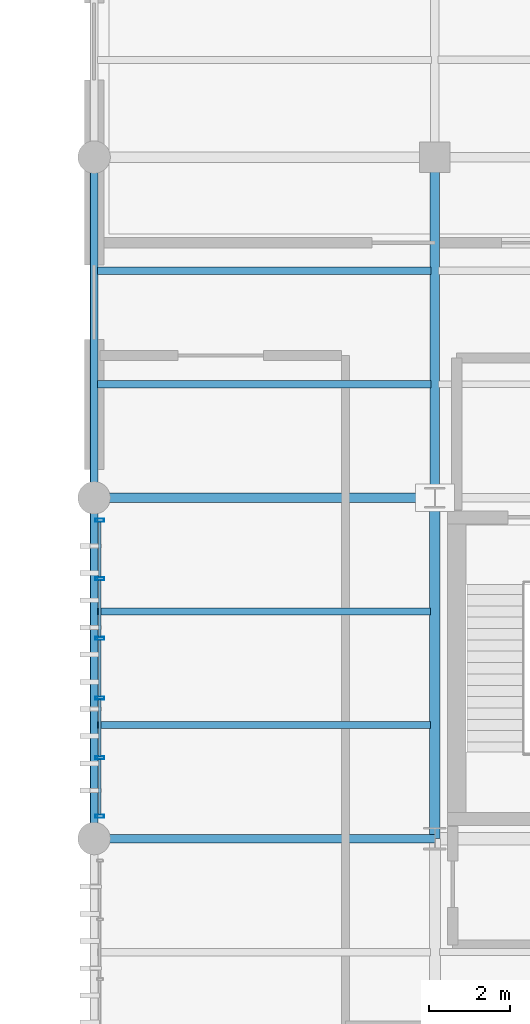
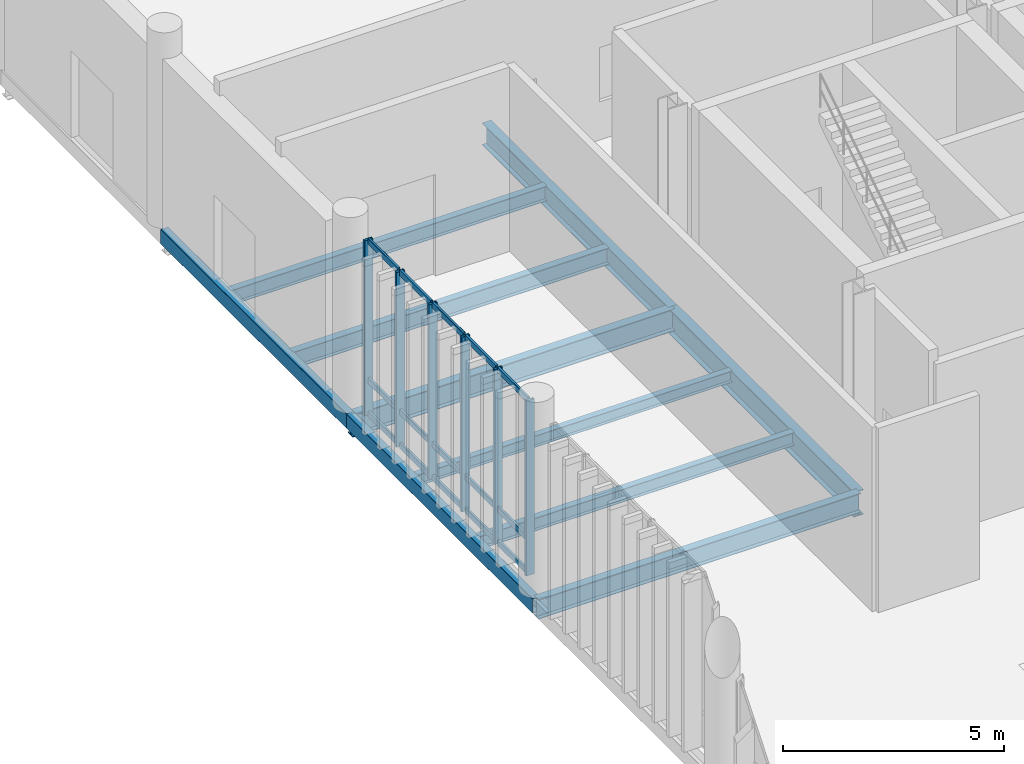
# One storey, part 65 of 112: 21 members, 10 beams, 1 element without a shape of its own.
"""IFC4 building model written with IfcOpenShell, lengths in metres."""

from ifc_helpers import new_model, si_unit, direction, frame, origin_with_axes, origin_2d_with_axis, place, context, subcontext, project, spatial, hollow_rectangle, i_section, extrude, material, material_profile, profile_set, type_object, element, aggregate, save


model = new_model("IFC4")

# Units and contexts
model_context = context("Model", 3, precision=1e-05, world=origin_with_axes(), true_north=direction((0.0, 1.0)))
body_context = subcontext(model_context, "Body", "Model", "MODEL_VIEW")
ifc_project = project(units=[si_unit("LENGTHUNIT", "METRE"), si_unit("AREAUNIT", "SQUARE_METRE"), si_unit("VOLUMEUNIT", "CUBIC_METRE"), si_unit("PLANEANGLEUNIT", "RADIAN"), si_unit("MASSUNIT", "GRAM", prefix="KILO"), si_unit("THERMODYNAMICTEMPERATUREUNIT", "KELVIN")], contexts=[model_context])

# Site, building, storey
site_placement = place(None, origin_with_axes())
site = spatial("IfcSite", under=ifc_project, at=site_placement, CompositionType="ELEMENT")
building_placement = place(site_placement, origin_with_axes())
building = spatial("IfcBuilding", under=site, at=building_placement, Name="Montbau Bow Law Courts", CompositionType="ELEMENT")
storey_placement = place(building_placement, origin_with_axes())
storey = spatial("IfcBuildingStorey", under=building, at=storey_placement, Name="L00", CompositionType="ELEMENT", Elevation=0.0)

# Beams
ifc_material_1 = material(Name="Steel CSA G40.21 Grade 350W (350 MPa)", Category="steel")
ifc_material_profile_1 = material_profile(ifc_material_1, i_section(OverallWidth=0.254, OverallDepth=0.688, WebThickness=0.0131, FlangeThickness=0.0211, at=origin_2d_with_axis()), Name="W690X152", Category="Main", Priority=0)
ifc_profile_set_1 = profile_set([ifc_material_profile_1], Name="Steel CSA G40.21 Grade 350W (350 MPa)")
beam_type_1 = type_object("IfcBeamType", Name="B-FLR-04", PredefinedType="BEAM", material=ifc_profile_set_1)
beam_1_placement = place(None, frame((147.0, 86.4, -0.604), z_axis=(0.0, 1.0, 0.0), x_axis=(-1.0, 0.0, 0.0)))
element("IfcBeam", 1, at=beam_1_placement, inside=storey, type_object=beam_type_1, Name="BM-L00-S0441:bm2_0444", PredefinedType="BEAM", context=body_context, shape_type="SweptSolid", body=[
    extrude(i_section(OverallWidth=0.254, OverallDepth=0.688, WebThickness=0.0131, FlangeThickness=0.0211, at=origin_2d_with_axis()), origin_with_axes(), (0.0, 0.0, 1.0), 8.4),
])
ifc_material_profile_2 = material_profile(ifc_material_1, i_section(OverallWidth=0.229, OverallDepth=0.612, WebThickness=0.0119, FlangeThickness=0.0196, at=origin_2d_with_axis()), Name="W610X125", Category="Main", Priority=0)
ifc_profile_set_2 = profile_set([ifc_material_profile_2], Name="Steel CSA G40.21 Grade 350W (350 MPa)")
beam_type_2 = type_object("IfcBeamType", Name="B-FLR-05", PredefinedType="BEAM", material=ifc_profile_set_2)
for number, where, z_axis, x_axis, name in (
    (2, (138.6, 94.8, -0.566), (1.0, 0.0, 0.0), (0.0, 1.0, 0.0), "BM-L00-S0415:bm2_0418"),
    (3, (147.0, 94.8, -0.566), (0.0, 1.0, 0.0), (-1.0, 0.0, 0.0), "BM-L00-S0442:bm2_0445"),
):
    element("IfcBeam", number, at=place(None, frame(where, z_axis=z_axis, x_axis=x_axis)), inside=storey, type_object=beam_type_2, Name=name, PredefinedType="BEAM", context=body_context, shape_type="SweptSolid", body=[
        extrude(i_section(OverallWidth=0.229, OverallDepth=0.612, WebThickness=0.0119, FlangeThickness=0.0196, at=origin_2d_with_axis()), origin_with_axes(), (0.0, 0.0, 1.0), 8.4),
    ])
ifc_material_profile_3 = material_profile(ifc_material_1, i_section(OverallWidth=0.21, OverallDepth=0.537, WebThickness=0.0109, FlangeThickness=0.0174, at=origin_2d_with_axis()), Name="W530X101", Category="Main", Priority=0)
ifc_profile_set_3 = profile_set([ifc_material_profile_3], Name="Steel CSA G40.21 Grade 350W (350 MPa)")
beam_type_3 = type_object("IfcBeamType", Name="B-FLR-06", PredefinedType="BEAM", material=ifc_profile_set_3)
beam_2_placement = place(None, frame((138.6, 86.4, -0.528), z_axis=(1.0, 0.0, 0.0), x_axis=(0.0, 1.0, 0.0)))
element("IfcBeam", 4, at=beam_2_placement, inside=storey, type_object=beam_type_3, Name="BM-L00-S0411:bm2_0414", PredefinedType="BEAM", context=body_context, shape_type="SweptSolid", body=[
    extrude(i_section(OverallWidth=0.21, OverallDepth=0.537, WebThickness=0.0109, FlangeThickness=0.0174, at=origin_2d_with_axis()), origin_with_axes(), (0.0, 0.0, 1.0), 8.4),
])
ifc_material_profile_4 = material_profile(ifc_material_1, i_section(OverallWidth=0.191, OverallDepth=0.46, WebThickness=0.0099, FlangeThickness=0.016, at=origin_2d_with_axis()), Name="W460X82", Category="Main", Priority=0)
ifc_profile_set_4 = profile_set([ifc_material_profile_4], Name="Steel CSA G40.21 Grade 350W (350 MPa)")
beam_type_4 = type_object("IfcBeamType", Name="B-JST-01", PredefinedType="JOIST", material=ifc_profile_set_4)
beam_3_placement = place(None, frame((138.68, 97.6, -0.49), z_axis=(1.0, 0.0, 0.0), x_axis=(0.0, 1.0, 0.0)))
element("IfcBeam", 5, at=beam_3_placement, inside=storey, type_object=beam_type_4, Name="JST-L00-S0188:jst2_0188", PredefinedType="JOIST", context=body_context, shape_type="SweptSolid", body=[
    extrude(i_section(OverallWidth=0.191, OverallDepth=0.46, WebThickness=0.0099, FlangeThickness=0.016, at=origin_2d_with_axis()), origin_with_axes(), (0.0, 0.0, 1.0), 8.23),
])
ifc_material_profile_5 = material_profile(ifc_material_1, i_section(OverallWidth=0.179, OverallDepth=0.41, WebThickness=0.0088, FlangeThickness=0.0144, at=origin_2d_with_axis()), Name="W410X67", Category="Main", Priority=0)
ifc_profile_set_5 = profile_set([ifc_material_profile_5], Name="Steel CSA G40.21 Grade 350W (350 MPa)")
beam_type_5 = type_object("IfcBeamType", Name="B-JST-02", PredefinedType="JOIST", material=ifc_profile_set_5)
beam_4_placement = place(None, frame((138.68, 100.4, -0.465), z_axis=(1.0, 0.0, 0.0), x_axis=(0.0, 1.0, 0.0)))
element("IfcBeam", 6, at=beam_4_placement, inside=storey, type_object=beam_type_5, Name="JST-L00-S0189:jst2_0189", PredefinedType="JOIST", context=body_context, shape_type="SweptSolid", body=[
    extrude(i_section(OverallWidth=0.179, OverallDepth=0.41, WebThickness=0.0088, FlangeThickness=0.0144, at=origin_2d_with_axis()), origin_with_axes(), (0.0, 0.0, 1.0), 8.23),
])
ifc_material_profile_6 = material_profile(ifc_material_1, i_section(OverallWidth=0.172, OverallDepth=0.358, WebThickness=0.0079, FlangeThickness=0.0131, at=origin_2d_with_axis()), Name="W360X57", Category="Main", Priority=0)
ifc_profile_set_6 = profile_set([ifc_material_profile_6], Name="Steel CSA G40.21 Grade 350W (350 MPa)")
beam_type_6 = type_object("IfcBeamType", Name="B-JST-03", PredefinedType="JOIST", material=ifc_profile_set_6)
beam_5_placement = place(None, frame((138.68, 89.2, -0.439), z_axis=(1.0, 0.0, 0.0), x_axis=(0.0, 1.0, 0.0)))
element("IfcBeam", 7, at=beam_5_placement, inside=storey, type_object=beam_type_6, Name="JST-L00-S0186:jst2_0186", PredefinedType="JOIST", context=body_context, shape_type="SweptSolid", body=[
    extrude(i_section(OverallWidth=0.172, OverallDepth=0.358, WebThickness=0.0079, FlangeThickness=0.0131, at=origin_2d_with_axis()), origin_with_axes(), (0.0, 0.0, 1.0), 8.217),
])
ifc_material_profile_7 = material_profile(ifc_material_1, i_section(OverallWidth=0.166, OverallDepth=0.313, WebThickness=0.0066, FlangeThickness=0.0112, at=origin_2d_with_axis()), Name="W310X45", Category="Main", Priority=0)
ifc_profile_set_7 = profile_set([ifc_material_profile_7], Name="Steel CSA G40.21 Grade 350W (350 MPa)")
beam_type_7 = type_object("IfcBeamType", Name="B-JST-04", PredefinedType="JOIST", material=ifc_profile_set_7)
beam_6_placement = place(None, frame((138.68, 92.0, -0.416), z_axis=(1.0, 0.0, 0.0), x_axis=(0.0, 1.0, 0.0)))
element("IfcBeam", 8, at=beam_6_placement, inside=storey, type_object=beam_type_7, Name="JST-L00-S0187:jst2_0187", PredefinedType="JOIST", context=body_context, shape_type="SweptSolid", body=[
    extrude(i_section(OverallWidth=0.166, OverallDepth=0.313, WebThickness=0.0066, FlangeThickness=0.0112, at=origin_2d_with_axis()), origin_with_axes(), (0.0, 0.0, 1.0), 8.217),
])
ifc_material_2 = material(Name="Steel CSA G40.21 Grade 350WT (350 MPa)", Category="steel")
ifc_material_profile_8 = material_profile(ifc_material_2, hollow_rectangle(XDim=0.203, YDim=0.406, WallThickness=0.0127, InnerFilletRadius=0.0254, OuterFilletRadius=0.0127, at=origin_2d_with_axis()), Name="HSS406X203X13", Category="Main", Priority=0)
ifc_profile_set_8 = profile_set([ifc_material_profile_8], Name="Steel CSA G40.21 Grade 350WT (350 MPa)")
beam_type_8 = type_object("IfcBeamType", Name="B-SPN-01", PredefinedType="SPANDREL", material=ifc_profile_set_8)
for number, where, z_axis, x_axis, name in (
    (9, (138.6, 86.4, -0.463), (0.0, 1.0, 0.0), (-1.0, 0.0, 0.0), "SPN-L00-S0434:bm2_0437"),
    (10, (138.6, 94.8, -0.463), (0.0, 1.0, 0.0), (-1.0, 0.0, 0.0), "SPN-L00-S0435:bm2_0438"),
):
    element("IfcBeam", number, at=place(None, frame(where, z_axis=z_axis, x_axis=x_axis)), inside=storey, type_object=beam_type_8, Name=name, PredefinedType="SPANDREL", context=body_context, shape_type="SweptSolid", body=[
        extrude(hollow_rectangle(XDim=0.203, YDim=0.406, WallThickness=0.0127, InnerFilletRadius=0.0254, OuterFilletRadius=0.0127, at=origin_2d_with_axis()), origin_with_axes(), (0.0, 0.0, 1.0), 8.4),
    ])

# Curtain wall, members
ifc_material_3 = material(Name="Thermally Broken Extruded Aluminium AA 6063-T6", Category="aluminium")
curtain_wall_type = type_object("IfcCurtainWallType", Name="CW-SLT-01", PredefinedType="NOTDEFINED", material=ifc_material_3)
curtain_wall_placement = place(None, frame((138.74, 86.915, 0.0), z_axis=(0.0, 0.0, 1.0), x_axis=(1.0, 0.0, 0.0)))
curtain_wall = element("IfcCurtainWall", 11, at=curtain_wall_placement, inside=storey, type_object=curtain_wall_type, Name="CW-L00-270:cw_0270", PredefinedType="NOTDEFINED")
ifc_material_profile_9 = material_profile(ifc_material_3, hollow_rectangle(XDim=0.075, YDim=0.22, WallThickness=0.005, InnerFilletRadius=0.01, OuterFilletRadius=0.005, at=origin_2d_with_axis()), Name="CWM-220X75", Category="Main", Priority=0)
ifc_profile_set_9 = profile_set([ifc_material_profile_9], Name="Thermally Broken Extruded Aluminium AA 6063-T6")
member_type_1 = type_object("IfcMemberType", Name="M-MUL-01", PredefinedType="MULLION", material=ifc_profile_set_9)
member_1_placement = place(None, frame((138.74, 86.952, 0.0), z_axis=(0.0, 0.0, 1.0), x_axis=(0.0, 1.0, 0.0)))
member_1 = element("IfcMember", 12, at=member_1_placement, type_object=member_type_1, Name="CW-L00-270-M01:cw_0270_M01", PredefinedType="MULLION", context=body_context, shape_type="SweptSolid", body=[
    extrude(hollow_rectangle(XDim=0.075, YDim=0.22, WallThickness=0.005, InnerFilletRadius=0.01, OuterFilletRadius=0.005, at=origin_2d_with_axis()), origin_with_axes(), (0.0, 0.0, 1.0), 4.82),
])
member_2_placement = place(None, frame((138.74, 88.389, 0.0), z_axis=(0.0, 0.0, 1.0), x_axis=(0.0, 1.0, 0.0)))
member_2 = element("IfcMember", 13, at=member_2_placement, type_object=member_type_1, Name="CW-L00-270-M02:cw_0270_M02", PredefinedType="MULLION", context=body_context, shape_type="SweptSolid", body=[
    extrude(hollow_rectangle(XDim=0.075, YDim=0.22, WallThickness=0.005, InnerFilletRadius=0.01, OuterFilletRadius=0.005, at=origin_2d_with_axis()), origin_with_axes(), (0.0, 0.0, 1.0), 4.82),
])
member_3_placement = place(None, frame((138.74, 89.863, 0.0), z_axis=(0.0, 0.0, 1.0), x_axis=(0.0, 1.0, 0.0)))
member_3 = element("IfcMember", 14, at=member_3_placement, type_object=member_type_1, Name="CW-L00-270-M03:cw_0270_M03", PredefinedType="MULLION", context=body_context, shape_type="SweptSolid", body=[
    extrude(hollow_rectangle(XDim=0.075, YDim=0.22, WallThickness=0.005, InnerFilletRadius=0.01, OuterFilletRadius=0.005, at=origin_2d_with_axis()), origin_with_axes(), (0.0, 0.0, 1.0), 4.82),
])
member_4_placement = place(None, frame((138.74, 91.337, 0.0), z_axis=(0.0, 0.0, 1.0), x_axis=(0.0, 1.0, 0.0)))
member_4 = element("IfcMember", 15, at=member_4_placement, type_object=member_type_1, Name="CW-L00-270-M04:cw_0270_M04", PredefinedType="MULLION", context=body_context, shape_type="SweptSolid", body=[
    extrude(hollow_rectangle(XDim=0.075, YDim=0.22, WallThickness=0.005, InnerFilletRadius=0.01, OuterFilletRadius=0.005, at=origin_2d_with_axis()), origin_with_axes(), (0.0, 0.0, 1.0), 4.82),
])
member_5_placement = place(None, frame((138.74, 92.811, 0.0), z_axis=(0.0, 0.0, 1.0), x_axis=(0.0, 1.0, 0.0)))
member_5 = element("IfcMember", 16, at=member_5_placement, type_object=member_type_1, Name="CW-L00-270-M05:cw_0270_M05", PredefinedType="MULLION", context=body_context, shape_type="SweptSolid", body=[
    extrude(hollow_rectangle(XDim=0.075, YDim=0.22, WallThickness=0.005, InnerFilletRadius=0.01, OuterFilletRadius=0.005, at=origin_2d_with_axis()), origin_with_axes(), (0.0, 0.0, 1.0), 4.82),
])
member_6_placement = place(None, frame((138.74, 94.247, 0.0), z_axis=(0.0, 0.0, 1.0), x_axis=(0.0, 1.0, 0.0)))
member_6 = element("IfcMember", 17, at=member_6_placement, type_object=member_type_1, Name="CW-L00-270-M06:cw_0270_M06", PredefinedType="MULLION", context=body_context, shape_type="SweptSolid", body=[
    extrude(hollow_rectangle(XDim=0.075, YDim=0.22, WallThickness=0.005, InnerFilletRadius=0.01, OuterFilletRadius=0.005, at=origin_2d_with_axis()), origin_with_axes(), (0.0, 0.0, 1.0), 4.82),
])
ifc_material_profile_10 = material_profile(ifc_material_3, hollow_rectangle(XDim=0.06, YDim=0.16, WallThickness=0.004, InnerFilletRadius=0.008, OuterFilletRadius=0.004, at=origin_2d_with_axis()), Name="CWT-160X60", Category="Main", Priority=0)
ifc_profile_set_10 = profile_set([ifc_material_profile_10], Name="Thermally Broken Extruded Aluminium AA 6063-T6")
member_type_2 = type_object("IfcMemberType", Name="M-TRN-01", PredefinedType="USERDEFINED", material=ifc_profile_set_10)
member_7_placement = place(None, frame((138.74, 86.991, 0.03), z_axis=(0.0, 1.0, 0.0), x_axis=(-1.0, 0.0, 0.0)))
member_7 = element("IfcMember", 18, at=member_7_placement, type_object=member_type_2, Name="CW-L00-270-T01-1:cw_0270_T01_1", ObjectType="TRANSOM", PredefinedType="USERDEFINED", context=body_context, shape_type="SweptSolid", body=[
    extrude(hollow_rectangle(XDim=0.06, YDim=0.16, WallThickness=0.004, InnerFilletRadius=0.008, OuterFilletRadius=0.004, at=origin_2d_with_axis()), origin_with_axes(), (0.0, 0.0, 1.0), 1.358),
])
member_8_placement = place(None, frame((138.74, 86.991, 0.95), z_axis=(0.0, 1.0, 0.0), x_axis=(-1.0, 0.0, 0.0)))
member_8 = element("IfcMember", 19, at=member_8_placement, type_object=member_type_2, Name="CW-L00-270-T01-2:cw_0270_T01_2", ObjectType="TRANSOM", PredefinedType="USERDEFINED", context=body_context, shape_type="SweptSolid", body=[
    extrude(hollow_rectangle(XDim=0.06, YDim=0.16, WallThickness=0.004, InnerFilletRadius=0.008, OuterFilletRadius=0.004, at=origin_2d_with_axis()), origin_with_axes(), (0.0, 0.0, 1.0), 1.358),
])
member_9_placement = place(None, frame((138.74, 86.991, 4.79), z_axis=(0.0, 1.0, 0.0), x_axis=(-1.0, 0.0, 0.0)))
member_9 = element("IfcMember", 20, at=member_9_placement, type_object=member_type_2, Name="CW-L00-270-T01-3:cw_0270_T01_3", ObjectType="TRANSOM", PredefinedType="USERDEFINED", context=body_context, shape_type="SweptSolid", body=[
    extrude(hollow_rectangle(XDim=0.06, YDim=0.16, WallThickness=0.004, InnerFilletRadius=0.008, OuterFilletRadius=0.004, at=origin_2d_with_axis()), origin_with_axes(), (0.0, 0.0, 1.0), 1.358),
])
member_10_placement = place(None, frame((138.74, 88.429, 0.03), z_axis=(0.0, 1.0, 0.0), x_axis=(-1.0, 0.0, 0.0)))
member_10 = element("IfcMember", 21, at=member_10_placement, type_object=member_type_2, Name="CW-L00-270-T02-1:cw_0270_T02_1", ObjectType="TRANSOM", PredefinedType="USERDEFINED", context=body_context, shape_type="SweptSolid", body=[
    extrude(hollow_rectangle(XDim=0.06, YDim=0.16, WallThickness=0.004, InnerFilletRadius=0.008, OuterFilletRadius=0.004, at=origin_2d_with_axis()), origin_with_axes(), (0.0, 0.0, 1.0), 1.395),
])
member_11_placement = place(None, frame((138.74, 88.429, 0.95), z_axis=(0.0, 1.0, 0.0), x_axis=(-1.0, 0.0, 0.0)))
member_11 = element("IfcMember", 22, at=member_11_placement, type_object=member_type_2, Name="CW-L00-270-T02-2:cw_0270_T02_2", ObjectType="TRANSOM", PredefinedType="USERDEFINED", context=body_context, shape_type="SweptSolid", body=[
    extrude(hollow_rectangle(XDim=0.06, YDim=0.16, WallThickness=0.004, InnerFilletRadius=0.008, OuterFilletRadius=0.004, at=origin_2d_with_axis()), origin_with_axes(), (0.0, 0.0, 1.0), 1.395),
])
member_12_placement = place(None, frame((138.74, 88.429, 4.79), z_axis=(0.0, 1.0, 0.0), x_axis=(-1.0, 0.0, 0.0)))
member_12 = element("IfcMember", 23, at=member_12_placement, type_object=member_type_2, Name="CW-L00-270-T02-3:cw_0270_T02_3", ObjectType="TRANSOM", PredefinedType="USERDEFINED", context=body_context, shape_type="SweptSolid", body=[
    extrude(hollow_rectangle(XDim=0.06, YDim=0.16, WallThickness=0.004, InnerFilletRadius=0.008, OuterFilletRadius=0.004, at=origin_2d_with_axis()), origin_with_axes(), (0.0, 0.0, 1.0), 1.395),
])
member_13_placement = place(None, frame((138.74, 89.902, 0.03), z_axis=(0.0, 1.0, 0.0), x_axis=(-1.0, 0.0, 0.0)))
member_13 = element("IfcMember", 24, at=member_13_placement, type_object=member_type_2, Name="CW-L00-270-T03-1:cw_0270_T03_1", ObjectType="TRANSOM", PredefinedType="USERDEFINED", context=body_context, shape_type="SweptSolid", body=[
    extrude(hollow_rectangle(XDim=0.06, YDim=0.16, WallThickness=0.004, InnerFilletRadius=0.008, OuterFilletRadius=0.004, at=origin_2d_with_axis()), origin_with_axes(), (0.0, 0.0, 1.0), 1.396),
])
member_14_placement = place(None, frame((138.74, 89.902, 0.95), z_axis=(0.0, 1.0, 0.0), x_axis=(-1.0, 0.0, 0.0)))
member_14 = element("IfcMember", 25, at=member_14_placement, type_object=member_type_2, Name="CW-L00-270-T03-2:cw_0270_T03_2", ObjectType="TRANSOM", PredefinedType="USERDEFINED", context=body_context, shape_type="SweptSolid", body=[
    extrude(hollow_rectangle(XDim=0.06, YDim=0.16, WallThickness=0.004, InnerFilletRadius=0.008, OuterFilletRadius=0.004, at=origin_2d_with_axis()), origin_with_axes(), (0.0, 0.0, 1.0), 1.396),
])
member_15_placement = place(None, frame((138.74, 89.902, 4.79), z_axis=(0.0, 1.0, 0.0), x_axis=(-1.0, 0.0, 0.0)))
member_15 = element("IfcMember", 26, at=member_15_placement, type_object=member_type_2, Name="CW-L00-270-T03-3:cw_0270_T03_3", ObjectType="TRANSOM", PredefinedType="USERDEFINED", context=body_context, shape_type="SweptSolid", body=[
    extrude(hollow_rectangle(XDim=0.06, YDim=0.16, WallThickness=0.004, InnerFilletRadius=0.008, OuterFilletRadius=0.004, at=origin_2d_with_axis()), origin_with_axes(), (0.0, 0.0, 1.0), 1.396),
])
member_16_placement = place(None, frame((138.74, 91.376, 0.03), z_axis=(0.0, 1.0, 0.0), x_axis=(-1.0, 0.0, 0.0)))
member_16 = element("IfcMember", 27, at=member_16_placement, type_object=member_type_2, Name="CW-L00-270-T04-1:cw_0270_T04_1", ObjectType="TRANSOM", PredefinedType="USERDEFINED", context=body_context, shape_type="SweptSolid", body=[
    extrude(hollow_rectangle(XDim=0.06, YDim=0.16, WallThickness=0.004, InnerFilletRadius=0.008, OuterFilletRadius=0.004, at=origin_2d_with_axis()), origin_with_axes(), (0.0, 0.0, 1.0), 1.396),
])
member_17_placement = place(None, frame((138.74, 91.376, 0.95), z_axis=(0.0, 1.0, 0.0), x_axis=(-1.0, 0.0, 0.0)))
member_17 = element("IfcMember", 28, at=member_17_placement, type_object=member_type_2, Name="CW-L00-270-T04-2:cw_0270_T04_2", ObjectType="TRANSOM", PredefinedType="USERDEFINED", context=body_context, shape_type="SweptSolid", body=[
    extrude(hollow_rectangle(XDim=0.06, YDim=0.16, WallThickness=0.004, InnerFilletRadius=0.008, OuterFilletRadius=0.004, at=origin_2d_with_axis()), origin_with_axes(), (0.0, 0.0, 1.0), 1.396),
])
member_18_placement = place(None, frame((138.74, 91.376, 4.79), z_axis=(0.0, 1.0, 0.0), x_axis=(-1.0, 0.0, 0.0)))
member_18 = element("IfcMember", 29, at=member_18_placement, type_object=member_type_2, Name="CW-L00-270-T04-3:cw_0270_T04_3", ObjectType="TRANSOM", PredefinedType="USERDEFINED", context=body_context, shape_type="SweptSolid", body=[
    extrude(hollow_rectangle(XDim=0.06, YDim=0.16, WallThickness=0.004, InnerFilletRadius=0.008, OuterFilletRadius=0.004, at=origin_2d_with_axis()), origin_with_axes(), (0.0, 0.0, 1.0), 1.396),
])
member_19_placement = place(None, frame((138.74, 92.85, 0.03), z_axis=(0.0, 1.0, 0.0), x_axis=(-1.0, 0.0, 0.0)))
member_19 = element("IfcMember", 30, at=member_19_placement, type_object=member_type_2, Name="CW-L00-270-T05-1:cw_0270_T05_1", ObjectType="TRANSOM", PredefinedType="USERDEFINED", context=body_context, shape_type="SweptSolid", body=[
    extrude(hollow_rectangle(XDim=0.06, YDim=0.16, WallThickness=0.004, InnerFilletRadius=0.008, OuterFilletRadius=0.004, at=origin_2d_with_axis()), origin_with_axes(), (0.0, 0.0, 1.0), 1.358),
])
member_20_placement = place(None, frame((138.74, 92.85, 0.95), z_axis=(0.0, 1.0, 0.0), x_axis=(-1.0, 0.0, 0.0)))
member_20 = element("IfcMember", 31, at=member_20_placement, type_object=member_type_2, Name="CW-L00-270-T05-2:cw_0270_T05_2", ObjectType="TRANSOM", PredefinedType="USERDEFINED", context=body_context, shape_type="SweptSolid", body=[
    extrude(hollow_rectangle(XDim=0.06, YDim=0.16, WallThickness=0.004, InnerFilletRadius=0.008, OuterFilletRadius=0.004, at=origin_2d_with_axis()), origin_with_axes(), (0.0, 0.0, 1.0), 1.358),
])
member_21_placement = place(None, frame((138.74, 92.85, 4.79), z_axis=(0.0, 1.0, 0.0), x_axis=(-1.0, 0.0, 0.0)))
member_21 = element("IfcMember", 32, at=member_21_placement, type_object=member_type_2, Name="CW-L00-270-T05-3:cw_0270_T05_3", ObjectType="TRANSOM", PredefinedType="USERDEFINED", context=body_context, shape_type="SweptSolid", body=[
    extrude(hollow_rectangle(XDim=0.06, YDim=0.16, WallThickness=0.004, InnerFilletRadius=0.008, OuterFilletRadius=0.004, at=origin_2d_with_axis()), origin_with_axes(), (0.0, 0.0, 1.0), 1.358),
])
aggregate(curtain_wall, [member_1, member_2, member_3, member_4, member_5, member_6, member_7, member_8, member_9, member_10, member_11, member_12, member_13, member_14, member_15, member_16, member_17, member_18, member_19, member_20, member_21])

save(model, "model.ifc")
